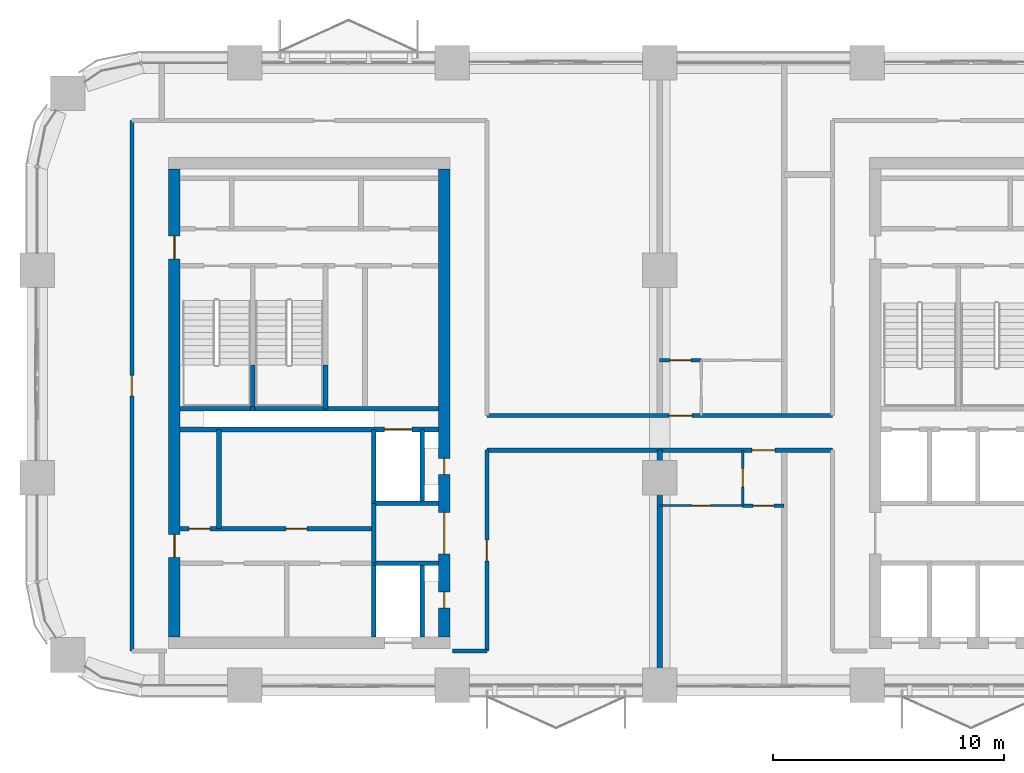
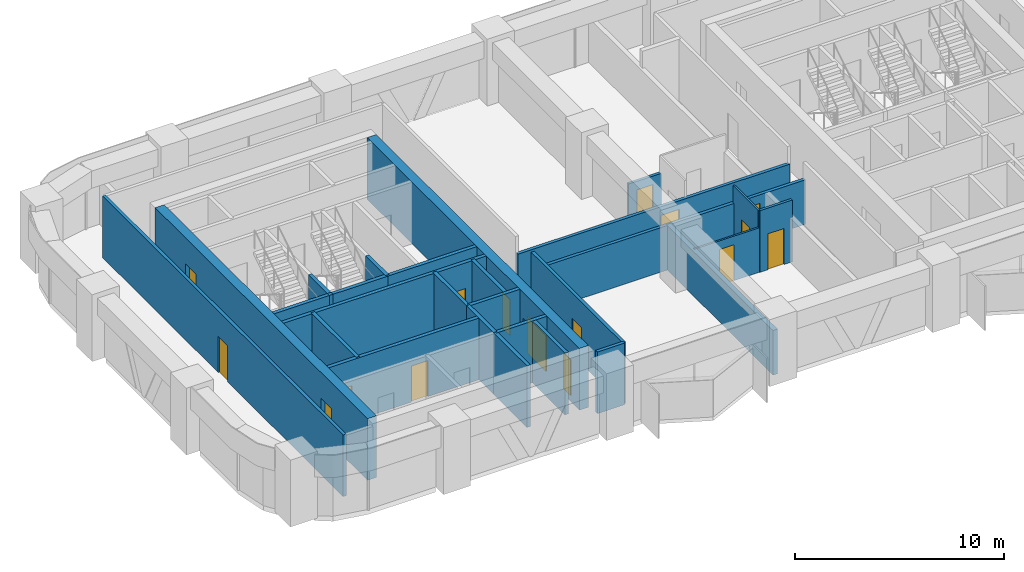
# One storey, part 8 of 13: 28 walls, 16 doors, 16 openings.
"""IFC4 building model written with IfcOpenShell, lengths in metres."""

from ifc_helpers import new_model, si_unit, direction, frame, frame_2d, origin, place, context, subcontext, project, spatial, rectangle, extrude, material, layer, layer_set, type_object, element, fill, save


model = new_model("IFC4")

# Units and contexts
model_context = context("Model", 3, precision=1e-05, world=origin(), true_north=direction((0.0, 1.0)))
body_context = subcontext(model_context, "Body", "Model", "MODEL_VIEW")
ifc_project = project(units=[si_unit("LENGTHUNIT", "METRE"), si_unit("AREAUNIT", "SQUARE_METRE"), si_unit("VOLUMEUNIT", "CUBIC_METRE"), si_unit("PLANEANGLEUNIT", "RADIAN"), si_unit("MASSUNIT", "GRAM", prefix="KILO")], contexts=[model_context])

# Site, building, storey
site_placement = place(None, origin())
site = spatial("IfcSite", under=ifc_project, at=site_placement, CompositionType="ELEMENT")
building_placement = place(site_placement, origin())
building = spatial("IfcBuilding", under=site, at=building_placement, Name="Tessera Arch", CompositionType="ELEMENT")
storey_placement = place(building_placement, frame((0.0, 0.0, 189.5)))
storey = spatial("IfcBuildingStorey", under=building, at=storey_placement, Name="L45", CompositionType="ELEMENT", Elevation=189.5)

# Walls
ifc_material_1 = material(Name="Gypsum board on steel stud", Category="steel")
ifc_layer_1 = layer(ifc_material_1, 0.125)
ifc_layer_set_1 = layer_set([ifc_layer_1], Name="Core partition 125 EI 60")
wall_type_1 = type_object("IfcWallType", Name="Core partition 125 EI 60", PredefinedType="PARTITIONING", material=ifc_layer_set_1)
wall_1_placement = place(storey_placement, frame((7.8798828125, 33.800048828125, 0.0), z_axis=(0.0, 0.0, 1.0), x_axis=(0.0, 1.0, 0.0)))
element("IfcWall", 1, at=wall_1_placement, inside=storey, type_object=wall_type_1, Name="L45 C2 partition wall 1", PredefinedType="PARTITIONING", context=body_context, shape_type="SweptSolid", body=[
    extrude(rectangle(XDim=4.300048828125, YDim=0.199951171875, at=frame_2d((2.14990234375, 0.0))), origin(), (0.0, 0.0, 1.0), 3.60009765625),
])
wall_2_placement = place(storey_placement, frame((14.60009765625, 32.300048828125, 0.0), z_axis=(0.0, 0.0, 1.0), x_axis=(0.0, 1.0, 0.0)))
element("IfcWall", 2, at=wall_2_placement, inside=storey, type_object=wall_type_1, Name="L45 C2 partition wall 10", PredefinedType="PARTITIONING", context=body_context, shape_type="SweptSolid", body=[
    extrude(rectangle(XDim=2.599853515625, YDim=0.199951171875, at=frame_2d((1.2998046875, 0.0))), origin(), (0.0, 0.0, 1.0), 3.60009765625),
])

# Wall, openings, doors
wall_3_placement = place(storey_placement, frame((6.199951171875, 33.800048828125, 0.0), z_axis=(0.0, 0.0, 1.0), x_axis=(1.0, 0.0, 0.0)))
wall_3 = element("IfcWall", 3, at=wall_3_placement, inside=storey, type_object=wall_type_1, Name="L45 C2 partition wall 17", PredefinedType="PARTITIONING", context=body_context, shape_type="SweptSolid", body=[
    extrude(rectangle(XDim=8.400146484375, YDim=0.199951171875, at=frame_2d((4.2001953125, 0.0))), origin(), (0.0, 0.0, 1.0), 3.60009765625),
])
opening_1_placement = place(wall_3_placement, frame((0.389892578125, 0.0, 0.0)))
opening_1 = element("IfcOpeningElement", 4, at=opening_1_placement, cuts=wall_3, Name="Opening L45-C36", PredefinedType="OPENING", context=body_context, shape_type="SweptSolid", body=[
    extrude(rectangle(XDim=0.89990234375, YDim=2.10009765625, at=frame_2d((0.449951171875, 1.050048828125))), frame((0.0, 0.10986328125, 0.0), z_axis=(0.0, -1.0, 0.0), x_axis=(1.0, 0.0, 0.0)), (0.0, 0.0, 1.0), 0.219970703125),
])
opening_2_placement = place(wall_3_placement, frame((4.590087890625, 0.0, 0.0)))
opening_2 = element("IfcOpeningElement", 5, at=opening_2_placement, cuts=wall_3, Name="Opening L45-C37", PredefinedType="OPENING", context=body_context, shape_type="SweptSolid", body=[
    extrude(rectangle(XDim=0.89990234375, YDim=2.10009765625, at=frame_2d((0.449951171875, 1.050048828125))), frame((0.0, 0.10986328125, 0.0), z_axis=(0.0, -1.0, 0.0), x_axis=(1.0, 0.0, 0.0)), (0.0, 0.0, 1.0), 0.219970703125),
])
ifc_material_2 = material(Name="Steel door leaf", Category="steel")
door_type_1 = type_object("IfcDoorType", Name="Store door FD30S 900 x 2100", OperationType="SINGLE_SWING_LEFT", PredefinedType="DOOR", material=ifc_material_2)
door_1_placement = place(opening_1_placement, origin())
door_1 = element("IfcDoor", 6, at=door_1_placement, inside=storey, type_object=door_type_1, Name="L45 C2 door 17 C36 type D09", OperationType="SINGLE_SWING_LEFT", OverallHeight=2.10009765625, OverallWidth=0.89990234375, PredefinedType="DOOR", context=body_context, shape_type="SweptSolid", body=[
    extrude(rectangle(XDim=0.89990234375, YDim=2.10009765625, at=frame_2d((0.449951171875, 1.050048828125))), frame((0.0, 0.02490234375, 0.0), z_axis=(0.0, -1.0, 0.0), x_axis=(1.0, 0.0, 0.0)), (0.0, 0.0, 1.0), 0.050048828125),
])
fill(opening_1, door_1)
door_2_placement = place(opening_2_placement, origin())
door_2 = element("IfcDoor", 7, at=door_2_placement, inside=storey, type_object=door_type_1, Name="L45 C2 door 18 C37 type D09", OperationType="SINGLE_SWING_RIGHT", OverallHeight=2.10009765625, OverallWidth=0.89990234375, PredefinedType="DOOR", context=body_context, shape_type="SweptSolid", body=[
    extrude(rectangle(XDim=0.89990234375, YDim=2.10009765625, at=frame_2d((0.449951171875, 1.050048828125))), frame((0.0, 0.02490234375, 0.0), z_axis=(0.0, -1.0, 0.0), x_axis=(1.0, 0.0, 0.0)), (0.0, 0.0, 1.0), 0.050048828125),
])
fill(opening_2, door_2)

ifc_material_3 = material(Name="Concrete C60/75", Category="concrete")
ifc_layer_2 = layer(ifc_material_3, 0.5)
ifc_layer_set_2 = layer_set([ifc_layer_2], Name="Core shell wall 500 C60-75")
wall_type_2 = type_object("IfcWallType", Name="Core shell wall 500 C60-75", PredefinedType="SHEAR", material=ifc_layer_set_2)
wall_4_placement = place(storey_placement, frame((5.949951171875, 29.10009765625, 0.0), z_axis=(0.0, 0.0, 1.0), x_axis=(0.0, 1.0, 0.0)))
wall_4 = element("IfcWall", 8, at=wall_4_placement, inside=storey, type_object=wall_type_2, Name="L45 C2 core wall W", PredefinedType="SHEAR", context=body_context, shape_type="SweptSolid", body=[
    extrude(rectangle(XDim=20.2998046875, YDim=0.5, at=frame_2d((10.14990234375, 0.0))), origin(), (0.0, 0.0, 1.0), 3.60009765625),
])
opening_3_placement = place(wall_4_placement, frame((3.449951171875, 0.0, 0.0)))
opening_3 = element("IfcOpeningElement", 9, at=opening_3_placement, cuts=wall_4, Name="Opening L45-C27", PredefinedType="OPENING", context=body_context, shape_type="SweptSolid", body=[
    extrude(rectangle(XDim=1.0, YDim=2.10009765625, at=frame_2d((0.5, 1.050048828125))), frame((0.0, 0.260009765625, 0.0), z_axis=(0.0, -1.0, 0.0), x_axis=(1.0, 0.0, 0.0)), (0.0, 0.0, 1.0), 0.52001953125),
])
opening_4_placement = place(wall_4_placement, frame((16.39990234375, 0.0, 0.0)))
opening_4 = element("IfcOpeningElement", 10, at=opening_4_placement, cuts=wall_4, Name="Opening L45-C28", PredefinedType="OPENING", context=body_context, shape_type="SweptSolid", body=[
    extrude(rectangle(XDim=1.0, YDim=2.10009765625, at=frame_2d((0.5, 1.050048828125))), frame((0.0, 0.260009765625, 0.0), z_axis=(0.0, -1.0, 0.0), x_axis=(1.0, 0.0, 0.0)), (0.0, 0.0, 1.0), 0.52001953125),
])
ifc_material_4 = material(Name="Steel door leaf", Category="steel")
door_type_2 = type_object("IfcDoorType", Name="Corridor door FD60 1000 x 2100", OperationType="SINGLE_SWING_LEFT", PredefinedType="DOOR", material=ifc_material_4)
door_3_placement = place(opening_3_placement, origin())
door_3 = element("IfcDoor", 11, at=door_3_placement, inside=storey, type_object=door_type_2, Name="L45 C2 door 8 C27 type D12", OperationType="SINGLE_SWING_LEFT", OverallHeight=2.10009765625, OverallWidth=1.0, PredefinedType="DOOR", context=body_context, shape_type="SweptSolid", body=[
    extrude(rectangle(XDim=1.0, YDim=2.10009765625, at=frame_2d((0.5, 1.050048828125))), frame((0.0, 0.02490234375, 0.0), z_axis=(0.0, -1.0, 0.0), x_axis=(1.0, 0.0, 0.0)), (0.0, 0.0, 1.0), 0.050048828125),
])
fill(opening_3, door_3)
door_4_placement = place(opening_4_placement, origin())
door_4 = element("IfcDoor", 12, at=door_4_placement, inside=storey, type_object=door_type_2, Name="L45 C2 door 9 C28 type D12", OperationType="SINGLE_SWING_RIGHT", OverallHeight=2.10009765625, OverallWidth=1.0, PredefinedType="DOOR", context=body_context, shape_type="SweptSolid", body=[
    extrude(rectangle(XDim=1.0, YDim=2.10009765625, at=frame_2d((0.5, 1.050048828125))), frame((0.0, 0.02490234375, 0.0), z_axis=(0.0, -1.0, 0.0), x_axis=(1.0, 0.0, 0.0)), (0.0, 0.0, 1.0), 0.050048828125),
])
fill(opening_4, door_4)

wall_5_placement = place(storey_placement, frame((17.64990234375, 29.10009765625, 0.0), z_axis=(0.0, 0.0, 1.0), x_axis=(0.0, 1.0, 0.0)))
wall_5 = element("IfcWall", 13, at=wall_5_placement, inside=storey, type_object=wall_type_2, Name="L45 C2 core wall E", PredefinedType="SHEAR", context=body_context, shape_type="SweptSolid", body=[
    extrude(rectangle(XDim=20.2998046875, YDim=0.5, at=frame_2d((10.14990234375, 0.0))), origin(), (0.0, 0.0, 1.0), 3.60009765625),
])
opening_5_placement = place(wall_5_placement, frame((1.25, 0.0, 0.0)))
opening_5 = element("IfcOpeningElement", 14, at=opening_5_placement, cuts=wall_5, Name="Opening L45-C22", PredefinedType="OPENING", context=body_context, shape_type="SweptSolid", body=[
    extrude(rectangle(XDim=0.699951171875, YDim=2.10009765625, at=frame_2d((0.35009765625, 1.050048828125))), frame((0.0, 0.260009765625, 0.0), z_axis=(0.0, -1.0, 0.0), x_axis=(1.0, 0.0, 0.0)), (0.0, 0.0, 1.0), 0.52001953125),
])
opening_6_placement = place(wall_5_placement, frame((7.050048828125, 0.0, 0.0)))
opening_6 = element("IfcOpeningElement", 15, at=opening_6_placement, cuts=wall_5, Name="Opening L45-C23", PredefinedType="OPENING", context=body_context, shape_type="SweptSolid", body=[
    extrude(rectangle(XDim=0.699951171875, YDim=2.10009765625, at=frame_2d((0.35009765625, 1.050048828125))), frame((0.0, 0.260009765625, 0.0), z_axis=(0.0, -1.0, 0.0), x_axis=(1.0, 0.0, 0.0)), (0.0, 0.0, 1.0), 0.52001953125),
])
opening_7_placement = place(wall_5_placement, frame((3.60009765625, 0.0, 0.0)))
opening_7 = element("IfcOpeningElement", 16, at=opening_7_placement, cuts=wall_5, Name="Opening L45-C26", PredefinedType="OPENING", context=body_context, shape_type="SweptSolid", body=[
    extrude(rectangle(XDim=1.800048828125, YDim=2.10009765625, at=frame_2d((0.89990234375, 1.050048828125))), frame((0.0, 0.260009765625, 0.0), z_axis=(0.0, -1.0, 0.0), x_axis=(1.0, 0.0, 0.0)), (0.0, 0.0, 1.0), 0.52001953125),
])
ifc_material_5 = material(Name="Glazed steel door leaf", Category="steel")
door_type_3 = type_object("IfcDoorType", Name="Lobby double door FD30S 1800 x 2100", OperationType="DOUBLE_DOOR_SINGLE_SWING", PredefinedType="DOOR", material=ifc_material_5)
door_5_placement = place(opening_7_placement, origin())
door_5 = element("IfcDoor", 17, at=door_5_placement, inside=storey, type_object=door_type_3, Name="L45 C2 door 7 C26 type D06", OperationType="DOUBLE_DOOR_SINGLE_SWING", OverallHeight=2.10009765625, OverallWidth=1.800048828125, PredefinedType="DOOR", context=body_context, shape_type="SweptSolid", body=[
    extrude(rectangle(XDim=1.800048828125, YDim=2.10009765625, at=frame_2d((0.89990234375, 1.050048828125))), frame((0.0, 0.02490234375, 0.0), z_axis=(0.0, -1.0, 0.0), x_axis=(1.0, 0.0, 0.0)), (0.0, 0.0, 1.0), 0.050048828125),
])
fill(opening_7, door_5)
ifc_material_6 = material(Name="Steel door leaf", Category="steel")
door_type_4 = type_object("IfcDoorType", Name="Service shaft door FD60 700 x 2100", OperationType="SINGLE_SWING_LEFT", PredefinedType="DOOR", material=ifc_material_6)
door_6_placement = place(opening_5_placement, origin())
door_6 = element("IfcDoor", 18, at=door_6_placement, inside=storey, type_object=door_type_4, Name="L45 C2 door 3 C22 type D07", OperationType="SINGLE_SWING_LEFT", OverallHeight=2.10009765625, OverallWidth=0.699951171875, PredefinedType="DOOR", context=body_context, shape_type="SweptSolid", body=[
    extrude(rectangle(XDim=0.699951171875, YDim=2.10009765625, at=frame_2d((0.35009765625, 1.050048828125))), frame((0.0, 0.02490234375, 0.0), z_axis=(0.0, -1.0, 0.0), x_axis=(1.0, 0.0, 0.0)), (0.0, 0.0, 1.0), 0.050048828125),
])
fill(opening_5, door_6)
door_7_placement = place(opening_6_placement, origin())
door_7 = element("IfcDoor", 19, at=door_7_placement, inside=storey, type_object=door_type_4, Name="L45 C2 door 4 C23 type D07", OperationType="SINGLE_SWING_LEFT", OverallHeight=2.10009765625, OverallWidth=0.699951171875, PredefinedType="DOOR", context=body_context, shape_type="SweptSolid", body=[
    extrude(rectangle(XDim=0.699951171875, YDim=2.10009765625, at=frame_2d((0.35009765625, 1.050048828125))), frame((0.0, 0.02490234375, 0.0), z_axis=(0.0, -1.0, 0.0), x_axis=(1.0, 0.0, 0.0)), (0.0, 0.0, 1.0), 0.050048828125),
])
fill(opening_6, door_7)

# Wall
ifc_material_7 = material(Name="Gypsum board on deep steel stud with mineral wool", Category="steel")
ifc_layer_3 = layer(ifc_material_7, 0.175048828125)
ifc_layer_set_3 = layer_set([ifc_layer_3], Name="Corridor wall 175 EI 60")
wall_type_3 = type_object("IfcWallType", Name="Corridor wall 175 EI 60", PredefinedType="PARTITIONING", material=ifc_layer_set_3)
wall_6_placement = place(storey_placement, frame((18.0, 28.5, 0.0), z_axis=(0.0, 0.0, 1.0), x_axis=(1.0, 0.0, 0.0)))
element("IfcWall", 20, at=wall_6_placement, inside=storey, type_object=wall_type_3, Name="L45 partition 2", PredefinedType="PARTITIONING", context=body_context, shape_type="SweptSolid", body=[
    extrude(rectangle(XDim=1.5, YDim=0.175048828125, at=frame_2d((0.75, 0.0))), origin(), (0.0, 0.0, 1.0), 3.60009765625),
])

# Wall, opening, door
wall_7_placement = place(storey_placement, frame((19.5, 37.199951171875, 0.0), z_axis=(0.0, 0.0, 1.0), x_axis=(1.0, 0.0, 0.0)))
wall_7 = element("IfcWall", 21, at=wall_7_placement, inside=storey, type_object=wall_type_3, Name="L45 partition 5", PredefinedType="PARTITIONING", context=body_context, shape_type="SweptSolid", body=[
    extrude(rectangle(XDim=15.0, YDim=0.175048828125, at=frame_2d((7.5, 0.0))), origin(), (0.0, 0.0, 1.0), 2.60009765625),
])
opening_8_placement = place(wall_7_placement, frame((11.5, 0.0, 0.0)))
opening_8 = element("IfcOpeningElement", 22, at=opening_8_placement, cuts=wall_7, Name="Opening L45-D003", PredefinedType="OPENING", context=body_context, shape_type="SweptSolid", body=[
    extrude(rectangle(XDim=1.0, YDim=2.10009765625, at=frame_2d((0.5, 1.050048828125))), frame((0.0, 0.097412109375, 0.0), z_axis=(0.0, -1.0, 0.0), x_axis=(1.0, 0.0, 0.0)), (0.0, 0.0, 1.0), 0.195068359375),
])
ifc_material_8 = material(Name="Fire-rated door leaf")
door_type_5 = type_object("IfcDoorType", Name="Entrance door FD30S 1000 x 2100", OperationType="SINGLE_SWING_LEFT", PredefinedType="DOOR", material=ifc_material_8)
door_8_placement = place(opening_8_placement, origin())
door_8 = element("IfcDoor", 23, at=door_8_placement, inside=storey, type_object=door_type_5, Name="L45 door D003 type D03", OperationType="SINGLE_SWING_RIGHT", OverallHeight=2.10009765625, OverallWidth=1.0, PredefinedType="DOOR", context=body_context, shape_type="SweptSolid", body=[
    extrude(rectangle(XDim=1.0, YDim=2.10009765625, at=frame_2d((0.5, 1.050048828125))), frame((0.0, 0.02490234375, 0.0), z_axis=(0.0, -1.0, 0.0), x_axis=(1.0, 0.0, 0.0)), (0.0, 0.0, 1.0), 0.050048828125),
])
fill(opening_8, door_8)

wall_8_placement = place(storey_placement, frame((19.5, 38.699951171875, 0.0), z_axis=(0.0, 0.0, 1.0), x_axis=(1.0, 0.0, 0.0)))
wall_8 = element("IfcWall", 24, at=wall_8_placement, inside=storey, type_object=wall_type_3, Name="L45 partition 6", PredefinedType="PARTITIONING", context=body_context, shape_type="SweptSolid", body=[
    extrude(rectangle(XDim=15.0, YDim=0.175048828125, at=frame_2d((7.5, 0.0))), origin(), (0.0, 0.0, 1.0), 2.60009765625),
])
opening_9_placement = place(wall_8_placement, frame((7.89990234375, 0.0, 0.0)))
opening_9 = element("IfcOpeningElement", 25, at=opening_9_placement, cuts=wall_8, Name="Opening L45-D009", PredefinedType="OPENING", context=body_context, shape_type="SweptSolid", body=[
    extrude(rectangle(XDim=1.0, YDim=2.10009765625, at=frame_2d((0.5, 1.050048828125))), frame((0.0, 0.097412109375, 0.0), z_axis=(0.0, -1.0, 0.0), x_axis=(1.0, 0.0, 0.0)), (0.0, 0.0, 1.0), 0.195068359375),
])
door_9_placement = place(opening_9_placement, origin())
door_9 = element("IfcDoor", 26, at=door_9_placement, inside=storey, type_object=door_type_5, Name="L45 door D009 type D03", OperationType="SINGLE_SWING_RIGHT", OverallHeight=2.10009765625, OverallWidth=1.0, PredefinedType="DOOR", context=body_context, shape_type="SweptSolid", body=[
    extrude(rectangle(XDim=1.0, YDim=2.10009765625, at=frame_2d((0.5, 1.050048828125))), frame((0.0, 0.02490234375, 0.0), z_axis=(0.0, -1.0, 0.0), x_axis=(1.0, 0.0, 0.0)), (0.0, 0.0, 1.0), 0.050048828125),
])
fill(opening_9, door_9)

wall_9_placement = place(storey_placement, frame((4.10009765625, 28.5, 0.0), z_axis=(0.0, 0.0, 1.0), x_axis=(0.0, 1.0, 0.0)))
wall_9 = element("IfcWall", 27, at=wall_9_placement, inside=storey, type_object=wall_type_3, Name="L45 partition 9", PredefinedType="PARTITIONING", context=body_context, shape_type="SweptSolid", body=[
    extrude(rectangle(XDim=23.0, YDim=0.175048828125, at=frame_2d((11.5, 0.0))), origin(), (0.0, 0.0, 1.0), 3.60009765625),
])
opening_10_placement = place(wall_9_placement, frame((11.050048828125, 0.0, 0.0)))
opening_10 = element("IfcOpeningElement", 28, at=opening_10_placement, cuts=wall_9, Name="Opening L45-D007", PredefinedType="OPENING", context=body_context, shape_type="SweptSolid", body=[
    extrude(rectangle(XDim=0.89990234375, YDim=2.10009765625, at=frame_2d((0.449951171875, 1.050048828125))), frame((0.0, 0.097412109375, 0.0), z_axis=(0.0, -1.0, 0.0), x_axis=(1.0, 0.0, 0.0)), (0.0, 0.0, 1.0), 0.195068359375),
])
ifc_material_9 = material(Name="Timber door leaf", Category="wood")
door_type_6 = type_object("IfcDoorType", Name="Room door 900 x 2100", OperationType="SINGLE_SWING_LEFT", PredefinedType="DOOR", material=ifc_material_9)
door_10_placement = place(opening_10_placement, origin())
door_10 = element("IfcDoor", 29, at=door_10_placement, inside=storey, type_object=door_type_6, Name="L45 door D007 type D01", OperationType="SINGLE_SWING_RIGHT", OverallHeight=2.10009765625, OverallWidth=0.89990234375, PredefinedType="DOOR", context=body_context, shape_type="SweptSolid", body=[
    extrude(rectangle(XDim=0.89990234375, YDim=2.10009765625, at=frame_2d((0.449951171875, 1.050048828125))), frame((0.0, 0.02490234375, 0.0), z_axis=(0.0, -1.0, 0.0), x_axis=(1.0, 0.0, 0.0)), (0.0, 0.0, 1.0), 0.050048828125),
])
fill(opening_10, door_10)

wall_10_placement = place(storey_placement, frame((19.5, 28.5, 0.0), z_axis=(0.0, 0.0, 1.0), x_axis=(0.0, 1.0, 0.0)))
wall_10 = element("IfcWall", 30, at=wall_10_placement, inside=storey, type_object=wall_type_3, Name="L45 partition 10", PredefinedType="PARTITIONING", context=body_context, shape_type="SweptSolid", body=[
    extrude(rectangle(XDim=8.699951171875, YDim=0.175048828125, at=frame_2d((4.35009765625, 0.0))), origin(), (0.0, 0.0, 1.0), 3.60009765625),
])
opening_11_placement = place(wall_10_placement, frame((3.89990234375, 0.0, 0.0)))
opening_11 = element("IfcOpeningElement", 31, at=opening_11_placement, cuts=wall_10, Name="Opening L45-D001", PredefinedType="OPENING", context=body_context, shape_type="SweptSolid", body=[
    extrude(rectangle(XDim=0.89990234375, YDim=2.10009765625, at=frame_2d((0.449951171875, 1.050048828125))), frame((0.0, 0.097412109375, 0.0), z_axis=(0.0, -1.0, 0.0), x_axis=(1.0, 0.0, 0.0)), (0.0, 0.0, 1.0), 0.195068359375),
])
door_11_placement = place(opening_11_placement, origin())
door_11 = element("IfcDoor", 32, at=door_11_placement, inside=storey, type_object=door_type_6, Name="L45 door D001 type D01", OperationType="SINGLE_SWING_RIGHT", OverallHeight=2.10009765625, OverallWidth=0.89990234375, PredefinedType="DOOR", context=body_context, shape_type="SweptSolid", body=[
    extrude(rectangle(XDim=0.89990234375, YDim=2.10009765625, at=frame_2d((0.449951171875, 1.050048828125))), frame((0.0, 0.02490234375, 0.0), z_axis=(0.0, -1.0, 0.0), x_axis=(1.0, 0.0, 0.0)), (0.0, 0.0, 1.0), 0.050048828125),
])
fill(opening_11, door_11)

ifc_material_10 = material(Name="Gypsum board on steel stud", Category="steel")
ifc_layer_4 = layer(ifc_material_10, 0.14990234375)
ifc_layer_set_4 = layer_set([ifc_layer_4], Name="Partition 150")
wall_type_4 = type_object("IfcWallType", Name="Partition 150", PredefinedType="PARTITIONING", material=ifc_layer_set_4)
wall_11_placement = place(storey_placement, frame((30.60009765625, 34.800048828125, 0.0), z_axis=(0.0, 0.0, 1.0), x_axis=(1.0, 0.0, 0.0)))
wall_11 = element("IfcWall", 33, at=wall_11_placement, inside=storey, type_object=wall_type_4, Name="L45 partition 15", PredefinedType="PARTITIONING", context=body_context, shape_type="SweptSolid", body=[
    extrude(rectangle(XDim=1.7998046875, YDim=0.14990234375, at=frame_2d((0.89990234375, 0.0))), origin(), (0.0, 0.0, 1.0), 3.60009765625),
])
opening_12_placement = place(wall_11_placement, frame((0.449951171875, 0.0, 0.0)))
opening_12 = element("IfcOpeningElement", 34, at=opening_12_placement, cuts=wall_11, Name="Opening L45-D004", PredefinedType="OPENING", context=body_context, shape_type="SweptSolid", body=[
    extrude(rectangle(XDim=0.89990234375, YDim=2.10009765625, at=frame_2d((0.449951171875, 1.050048828125))), frame((0.0, 0.0849609375, 0.0), z_axis=(0.0, -1.0, 0.0), x_axis=(1.0, 0.0, 0.0)), (0.0, 0.0, 1.0), 0.169921875),
])
door_12_placement = place(opening_12_placement, origin())
door_12 = element("IfcDoor", 35, at=door_12_placement, inside=storey, type_object=door_type_6, Name="L45 door D004 type D01", OperationType="SINGLE_SWING_LEFT", OverallHeight=2.10009765625, OverallWidth=0.89990234375, PredefinedType="DOOR", context=body_context, shape_type="SweptSolid", body=[
    extrude(rectangle(XDim=0.89990234375, YDim=2.10009765625, at=frame_2d((0.449951171875, 1.050048828125))), frame((0.0, 0.02490234375, 0.0), z_axis=(0.0, -1.0, 0.0), x_axis=(1.0, 0.0, 0.0)), (0.0, 0.0, 1.0), 0.050048828125),
])
fill(opening_12, door_12)

wall_12_placement = place(storey_placement, frame((27.0, 41.10009765625, 0.0), z_axis=(0.0, 0.0, 1.0), x_axis=(1.0, 0.0, 0.0)))
wall_12 = element("IfcWall", 36, at=wall_12_placement, inside=storey, type_object=wall_type_4, Name="L45 partition 16", PredefinedType="PARTITIONING", context=body_context, shape_type="SweptSolid", body=[
    extrude(rectangle(XDim=1.800048828125, YDim=0.14990234375, at=frame_2d((0.89990234375, 0.0))), origin(), (0.0, 0.0, 1.0), 2.60009765625),
])
opening_13_placement = place(wall_12_placement, frame((0.449951171875, 0.0, 0.0)))
opening_13 = element("IfcOpeningElement", 37, at=opening_13_placement, cuts=wall_12, Name="Opening L45-D010", PredefinedType="OPENING", context=body_context, shape_type="SweptSolid", body=[
    extrude(rectangle(XDim=0.89990234375, YDim=2.10009765625, at=frame_2d((0.449951171875, 1.050048828125))), frame((0.0, 0.0849609375, 0.0), z_axis=(0.0, -1.0, 0.0), x_axis=(1.0, 0.0, 0.0)), (0.0, 0.0, 1.0), 0.169921875),
])
door_13_placement = place(opening_13_placement, origin())
door_13 = element("IfcDoor", 38, at=door_13_placement, inside=storey, type_object=door_type_6, Name="L45 door D010 type D01", OperationType="SINGLE_SWING_LEFT", OverallHeight=2.10009765625, OverallWidth=0.89990234375, PredefinedType="DOOR", context=body_context, shape_type="SweptSolid", body=[
    extrude(rectangle(XDim=0.89990234375, YDim=2.10009765625, at=frame_2d((0.449951171875, 1.050048828125))), frame((0.0, 0.02490234375, 0.0), z_axis=(0.0, -1.0, 0.0), x_axis=(1.0, 0.0, 0.0)), (0.0, 0.0, 1.0), 0.050048828125),
])
fill(opening_13, door_13)

# Walls
ifc_material_11 = material(Name="Double gypsum board on twin steel stud with acoustic mineral wool", Category="steel")
ifc_layer_5 = layer(ifc_material_11, 0.25)
ifc_layer_set_5 = layer_set([ifc_layer_5], Name="Party wall 250 EI 60")
wall_type_5 = type_object("IfcWallType", Name="Party wall 250 EI 60", PredefinedType="PARTITIONING", material=ifc_layer_set_5)
wall_13_placement = place(storey_placement, frame((27.0, 27.0, 0.0), z_axis=(0.0, 0.0, 1.0), x_axis=(0.0, 1.0, 0.0)))
element("IfcWall", 39, at=wall_13_placement, inside=storey, type_object=wall_type_5, Name="L45 partition 21", PredefinedType="PARTITIONING", context=body_context, shape_type="SweptSolid", body=[
    extrude(rectangle(XDim=10.199951171875, YDim=0.25, at=frame_2d((5.10009765625, 0.0))), origin(), (0.0, 0.0, 1.0), 2.60009765625),
])
ifc_material_12 = material(Name="Concrete C40/50", Category="concrete")
ifc_layer_6 = layer(ifc_material_12, 0.199951171875)
ifc_layer_set_6 = layer_set([ifc_layer_6], Name="Shaft wall 200 EI 120")
wall_type_6 = type_object("IfcWallType", Name="Shaft wall 200 EI 120", PredefinedType="SOLIDWALL", material=ifc_layer_set_6)
wall_14_placement = place(storey_placement, frame((14.60009765625, 29.10009765625, 0.0), z_axis=(0.0, 0.0, 1.0), x_axis=(0.0, 1.0, 0.0)))
element("IfcWall", 40, at=wall_14_placement, inside=storey, type_object=wall_type_6, Name="L45 C2 shaft wall 11", PredefinedType="SOLIDWALL", context=body_context, shape_type="SweptSolid", body=[
    extrude(rectangle(XDim=3.199951171875, YDim=0.199951171875, at=frame_2d((1.60009765625, 0.0))), origin(), (0.0, 0.0, 1.0), 3.60009765625),
])
wall_15_placement = place(storey_placement, frame((14.60009765625, 34.89990234375, 0.0), z_axis=(0.0, 0.0, 1.0), x_axis=(0.0, 1.0, 0.0)))
element("IfcWall", 41, at=wall_15_placement, inside=storey, type_object=wall_type_6, Name="L45 C2 shaft wall 12", PredefinedType="SOLIDWALL", context=body_context, shape_type="SweptSolid", body=[
    extrude(rectangle(XDim=3.2001953125, YDim=0.199951171875, at=frame_2d((1.60009765625, 0.0))), origin(), (0.0, 0.0, 1.0), 3.60009765625),
])
wall_16_placement = place(storey_placement, frame((16.699951171875, 29.10009765625, 0.0), z_axis=(0.0, 0.0, 1.0), x_axis=(0.0, 1.0, 0.0)))
element("IfcWall", 42, at=wall_16_placement, inside=storey, type_object=wall_type_6, Name="L45 C2 shaft wall 13", PredefinedType="SOLIDWALL", context=body_context, shape_type="SweptSolid", body=[
    extrude(rectangle(XDim=3.199951171875, YDim=0.199951171875, at=frame_2d((1.60009765625, 0.0))), origin(), (0.0, 0.0, 1.0), 3.60009765625),
])
wall_17_placement = place(storey_placement, frame((16.699951171875, 34.89990234375, 0.0), z_axis=(0.0, 0.0, 1.0), x_axis=(0.0, 1.0, 0.0)))
element("IfcWall", 43, at=wall_17_placement, inside=storey, type_object=wall_type_6, Name="L45 C2 shaft wall 14", PredefinedType="SOLIDWALL", context=body_context, shape_type="SweptSolid", body=[
    extrude(rectangle(XDim=3.2001953125, YDim=0.199951171875, at=frame_2d((1.60009765625, 0.0))), origin(), (0.0, 0.0, 1.0), 3.60009765625),
])
for number, where, z_axis, x_axis, name in (
    (44, (14.60009765625, 32.300048828125, 0.0), (0.0, 0.0, 1.0), (1.0, 0.0, 0.0), "L45 C2 shaft wall 16"),
    (45, (14.60009765625, 34.89990234375, 0.0), (0.0, 0.0, 1.0), (1.0, 0.0, 0.0), "L45 C2 shaft wall 18"),
):
    element("IfcWall", number, at=place(storey_placement, frame(where, z_axis=z_axis, x_axis=x_axis)), inside=storey, type_object=wall_type_6, Name=name, PredefinedType="SOLIDWALL", context=body_context, shape_type="SweptSolid", body=[
        extrude(rectangle(XDim=2.7998046875, YDim=0.199951171875, at=frame_2d((1.39990234375, 0.0))), origin(), (0.0, 0.0, 1.0), 3.60009765625),
    ])

# Wall, opening, door
wall_18_placement = place(storey_placement, frame((6.199951171875, 38.10009765625, 0.0), z_axis=(0.0, 0.0, 1.0), x_axis=(1.0, 0.0, 0.0)))
wall_18 = element("IfcWall", 46, at=wall_18_placement, inside=storey, type_object=wall_type_6, Name="L45 C2 shaft wall 19", PredefinedType="SOLIDWALL", context=body_context, shape_type="SweptSolid", body=[
    extrude(rectangle(XDim=11.199951171875, YDim=0.199951171875, at=frame_2d((5.60009765625, 0.0))), origin(), (0.0, 0.0, 1.0), 3.60009765625),
])
opening_14_placement = place(wall_18_placement, frame((8.85009765625, 0.0, 0.0)))
opening_14 = element("IfcOpeningElement", 47, at=opening_14_placement, cuts=wall_18, Name="Opening L45-C21", PredefinedType="OPENING", context=body_context, shape_type="SweptSolid", body=[
    extrude(rectangle(XDim=1.199951171875, YDim=2.10009765625, at=frame_2d((0.60009765625, 1.050048828125))), frame((0.0, 0.10986328125, 0.0), z_axis=(0.0, -1.0, 0.0), x_axis=(1.0, 0.0, 0.0)), (0.0, 0.0, 1.0), 0.219970703125),
])
ifc_material_13 = material(Name="Stainless steel AISI 304", Category="steel")
door_type_7 = type_object("IfcDoorType", Name="Sliding landing door 1200 x 2100", OperationType="SLIDING_TO_LEFT", PredefinedType="DOOR", material=ifc_material_13)
door_14_placement = place(opening_14_placement, origin())
door_14 = element("IfcDoor", 48, at=door_14_placement, inside=storey, type_object=door_type_7, Name="L45 HR8 lift landing door C21 type LD", OperationType="SLIDING_TO_LEFT", OverallHeight=2.10009765625, OverallWidth=1.199951171875, PredefinedType="DOOR", context=body_context, shape_type="SweptSolid", body=[
    extrude(rectangle(XDim=1.199951171875, YDim=2.10009765625, at=frame_2d((0.60009765625, 1.050048828125))), frame((0.0, 0.02490234375, 0.0), z_axis=(0.0, -1.0, 0.0), x_axis=(1.0, 0.0, 0.0)), (0.0, 0.0, 1.0), 0.050048828125),
])
fill(opening_14, door_14)

# Walls
wall_19_placement = place(storey_placement, frame((12.5, 39.0, 0.0), z_axis=(0.0, 0.0, 1.0), x_axis=(1.0, 0.0, 0.0)))
element("IfcWall", 49, at=wall_19_placement, inside=storey, type_object=wall_type_6, Name="L45 C2 shaft wall 20", PredefinedType="SOLIDWALL", context=body_context, shape_type="SweptSolid", body=[
    extrude(rectangle(XDim=4.89990234375, YDim=0.199951171875, at=frame_2d((2.449951171875, 0.0))), origin(), (0.0, 0.0, 1.0), 3.60009765625),
])
ifc_material_14 = material(Name="Concrete C40/50", Category="concrete")
ifc_layer_7 = layer(ifc_material_14, 0.199951171875)
ifc_layer_set_7 = layer_set([ifc_layer_7], Name="Stair well wall 200 REI 180")
wall_type_7 = type_object("IfcWallType", Name="Stair well wall 200 REI 180", PredefinedType="SOLIDWALL", material=ifc_layer_set_7)
for number, where, z_axis, x_axis, name in (
    (50, (9.35009765625, 39.0, 0.0), (0.0, 0.0, 1.0), (0.0, 1.0, 0.0), "L45 C2 shaft wall 3"),
    (51, (12.5, 39.0, 0.0), (0.0, 0.0, 1.0), (0.0, 1.0, 0.0), "L45 C2 shaft wall 6"),
):
    element("IfcWall", number, at=place(storey_placement, frame(where, z_axis=z_axis, x_axis=x_axis)), inside=storey, type_object=wall_type_7, Name=name, PredefinedType="SOLIDWALL", context=body_context, shape_type="SweptSolid", body=[
        extrude(rectangle(XDim=1.89990234375, YDim=0.199951171875, at=frame_2d((0.949951171875, 0.0))), origin(), (0.0, 0.0, 1.0), 3.60009765625),
    ])
wall_20_placement = place(storey_placement, frame((6.199951171875, 39.0, 0.0), z_axis=(0.0, 0.0, 1.0), x_axis=(1.0, 0.0, 0.0)))
element("IfcWall", 52, at=wall_20_placement, inside=storey, type_object=wall_type_7, Name="L45 C2 shaft wall 21", PredefinedType="SOLIDWALL", context=body_context, shape_type="SweptSolid", body=[
    extrude(rectangle(XDim=3.050048828125, YDim=0.199951171875, at=frame_2d((1.52490234375, 0.0))), origin(), (0.0, 0.0, 1.0), 3.60009765625),
])
wall_21_placement = place(storey_placement, frame((9.25, 39.0, 0.0), z_axis=(0.0, 0.0, 1.0), x_axis=(1.0, 0.0, 0.0)))
element("IfcWall", 53, at=wall_21_placement, inside=storey, type_object=wall_type_7, Name="L45 C2 shaft wall 22", PredefinedType="SOLIDWALL", context=body_context, shape_type="SweptSolid", body=[
    extrude(rectangle(XDim=0.199951171875, YDim=0.199951171875, at=frame_2d((0.10009765625, 0.0))), origin(), (0.0, 0.0, 1.0), 3.60009765625),
])
wall_22_placement = place(storey_placement, frame((9.449951171875, 39.0, 0.0), z_axis=(0.0, 0.0, 1.0), x_axis=(1.0, 0.0, 0.0)))
element("IfcWall", 54, at=wall_22_placement, inside=storey, type_object=wall_type_7, Name="L45 C2 shaft wall 23", PredefinedType="SOLIDWALL", context=body_context, shape_type="SweptSolid", body=[
    extrude(rectangle(XDim=3.050048828125, YDim=0.199951171875, at=frame_2d((1.52490234375, 0.0))), origin(), (0.0, 0.0, 1.0), 3.60009765625),
])

# Wall, opening, door
ifc_material_15 = material(Name="Moisture-resistant board on pre-plumbed steel stud", Category="steel")
ifc_layer_8 = layer(ifc_material_15, 0.10009765625)
ifc_layer_set_8 = layer_set([ifc_layer_8], Name="Wet wall 100")
wall_type_8 = type_object("IfcWallType", Name="Wet wall 100", PredefinedType="PARTITIONING", material=ifc_layer_set_8)
wall_23_placement = place(storey_placement, frame((27.0, 34.800048828125, 0.0), z_axis=(0.0, 0.0, 1.0), x_axis=(1.0, 0.0, 0.0)))
wall_23 = element("IfcWall", 55, at=wall_23_placement, inside=storey, type_object=wall_type_8, Name="L45 partition 26", PredefinedType="PARTITIONING", context=body_context, shape_type="SweptSolid", body=[
    extrude(rectangle(XDim=3.60009765625, YDim=0.10009765625, at=frame_2d((1.800048828125, 0.0))), origin(), (0.0, 0.0, 1.0), 2.60009765625),
])
opening_15_placement = place(wall_23_placement, frame((1.39990234375, 0.0, 0.0)))
opening_15 = element("IfcOpeningElement", 56, at=opening_15_placement, cuts=wall_23, Name="Opening L45-D006", PredefinedType="OPENING", context=body_context, shape_type="SweptSolid", body=[
    extrude(rectangle(XDim=0.800048828125, YDim=2.10009765625, at=frame_2d((0.39990234375, 1.050048828125))), frame((0.0, 0.06005859375, 0.0), z_axis=(0.0, -1.0, 0.0), x_axis=(1.0, 0.0, 0.0)), (0.0, 0.0, 1.0), 0.1201171875),
])
ifc_material_16 = material(Name="Timber door leaf", Category="wood")
door_type_8 = type_object("IfcDoorType", Name="En-suite door 800 x 2100", OperationType="SINGLE_SWING_LEFT", PredefinedType="DOOR", material=ifc_material_16)
door_15_placement = place(opening_15_placement, origin())
door_15 = element("IfcDoor", 57, at=door_15_placement, inside=storey, type_object=door_type_8, Name="L45 door D006 type D02", OperationType="SINGLE_SWING_RIGHT", OverallHeight=2.10009765625, OverallWidth=0.800048828125, PredefinedType="DOOR", context=body_context, shape_type="SweptSolid", body=[
    extrude(rectangle(XDim=0.800048828125, YDim=2.10009765625, at=frame_2d((0.39990234375, 1.050048828125))), frame((0.0, 0.02490234375, 0.0), z_axis=(0.0, -1.0, 0.0), x_axis=(1.0, 0.0, 0.0)), (0.0, 0.0, 1.0), 0.050048828125),
])
fill(opening_15, door_15)

wall_24_placement = place(storey_placement, frame((30.60009765625, 34.800048828125, 0.0), z_axis=(0.0, 0.0, 1.0), x_axis=(0.0, 1.0, 0.0)))
wall_24 = element("IfcWall", 58, at=wall_24_placement, inside=storey, type_object=wall_type_8, Name="L45 partition 29", PredefinedType="PARTITIONING", context=body_context, shape_type="SweptSolid", body=[
    extrude(rectangle(XDim=2.39990234375, YDim=0.10009765625, at=frame_2d((1.199951171875, 0.0))), origin(), (0.0, 0.0, 1.0), 3.60009765625),
])
opening_16_placement = place(wall_24_placement, frame((0.800048828125, 0.0, 0.0)))
opening_16 = element("IfcOpeningElement", 59, at=opening_16_placement, cuts=wall_24, Name="Opening L45-D005", PredefinedType="OPENING", context=body_context, shape_type="SweptSolid", body=[
    extrude(rectangle(XDim=0.800048828125, YDim=2.10009765625, at=frame_2d((0.39990234375, 1.050048828125))), frame((0.0, 0.06005859375, 0.0), z_axis=(0.0, -1.0, 0.0), x_axis=(1.0, 0.0, 0.0)), (0.0, 0.0, 1.0), 0.1201171875),
])
door_16_placement = place(opening_16_placement, origin())
door_16 = element("IfcDoor", 60, at=door_16_placement, inside=storey, type_object=door_type_8, Name="L45 door D005 type D02", OperationType="SINGLE_SWING_LEFT", OverallHeight=2.10009765625, OverallWidth=0.800048828125, PredefinedType="DOOR", context=body_context, shape_type="SweptSolid", body=[
    extrude(rectangle(XDim=0.800048828125, YDim=2.10009765625, at=frame_2d((0.39990234375, 1.050048828125))), frame((0.0, 0.02490234375, 0.0), z_axis=(0.0, -1.0, 0.0), x_axis=(1.0, 0.0, 0.0)), (0.0, 0.0, 1.0), 0.050048828125),
])
fill(opening_16, door_16)

save(model, "model.ifc")
